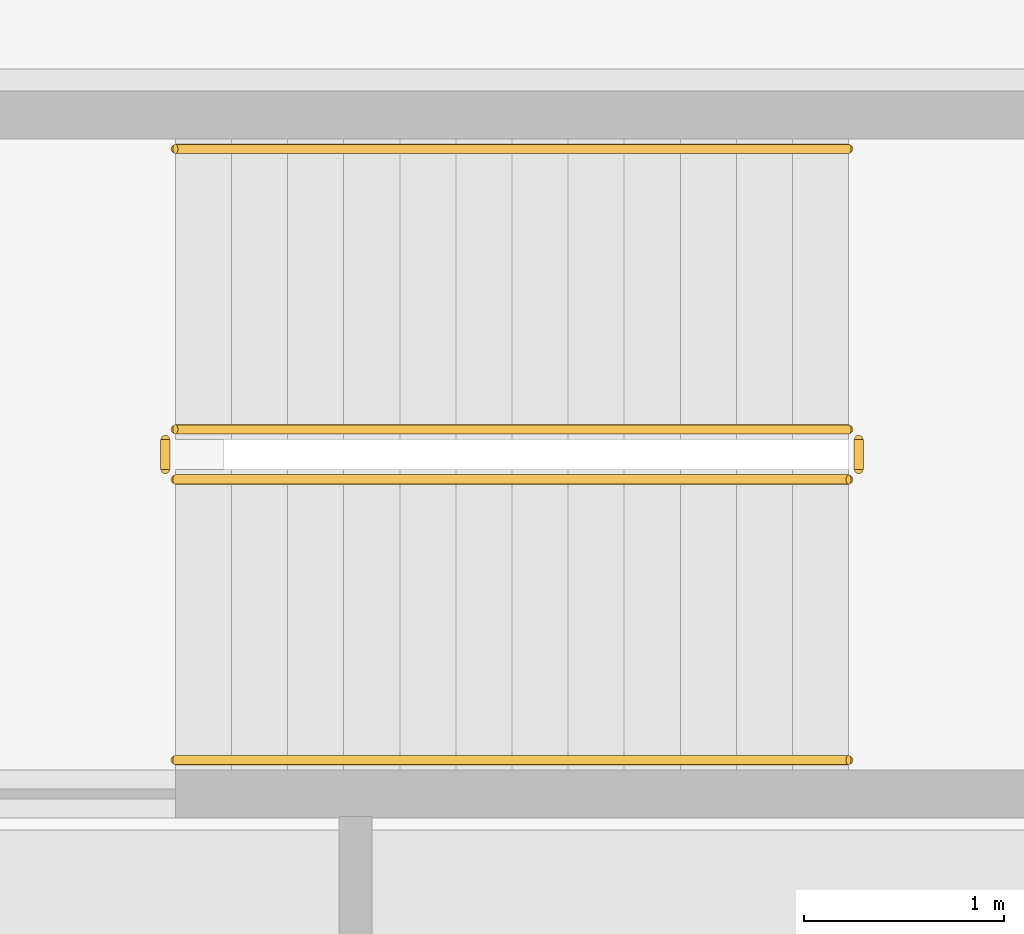
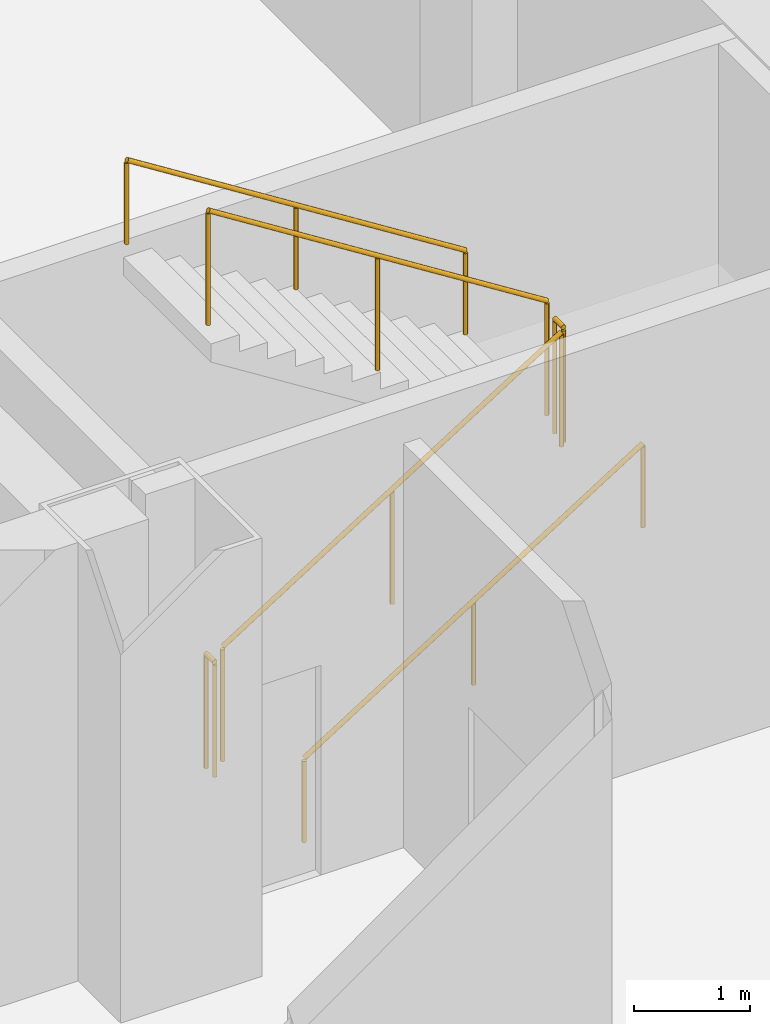
# One storey, part 8 of 8: 6 railings.
"""IFC4 building model written with IfcOpenShell, lengths in metres."""

from ifc_helpers import new_model, si_unit, direction, frame, origin, origin_2d, place, context, subcontext, project, spatial, circle, extrude, material, type_object, element, save


model = new_model("IFC4")

# Units and contexts
model_context = context("Model", 3, precision=1e-05, world=origin(), true_north=direction((0.0, 1.0)))
body_context = subcontext(model_context, "Body", "Model", "MODEL_VIEW")
ifc_project = project(units=[si_unit("LENGTHUNIT", "METRE"), si_unit("AREAUNIT", "SQUARE_METRE"), si_unit("VOLUMEUNIT", "CUBIC_METRE"), si_unit("PLANEANGLEUNIT", "RADIAN"), si_unit("MASSUNIT", "GRAM", prefix="KILO")], contexts=[model_context])

# Site, building, storey
site_placement = place(None, origin())
site = spatial("IfcSite", under=ifc_project, at=site_placement, CompositionType="ELEMENT")
building_placement = place(site_placement, origin())
building = spatial("IfcBuilding", under=site, at=building_placement, Name="Qianrong Seaharbour Tower", CompositionType="ELEMENT")
storey_placement = place(building_placement, frame((0.0, 0.0, -9.199951171875)))
storey = spatial("IfcBuildingStorey", under=building, at=storey_placement, Name="B02", CompositionType="ELEMENT", Elevation=-9.199951171875)

# Railings
ifc_material_1 = material(Name="Galvanized painted steel SN400B stair guard", Category="steel")
railing_type_1 = type_object("IfcRailingType", Name="RAIL-STAIR-GUARD-1220", PredefinedType="GUARDRAIL", material=ifc_material_1)
railing_1_placement = place(storey_placement, frame((65.89990234375, 38.050048828125, 0.1767578125)))
element("IfcRailing", 1, at=railing_1_placement, inside=storey, type_object=railing_type_1, Name="B02 BST-2 stair guard 1", PredefinedType="GUARDRAIL", context=body_context, shape_type="SweptSolid", body=[
    extrude(circle(Radius=0.02392578125, at=origin_2d()), frame((0.0, 0.0, 1.19580078125), z_axis=(0.845361898145, 0.0, 0.534194029511), x_axis=(0.0, 1.0, 0.0)), (0.0, 0.0, 1.0), 3.974853515625),
    extrude(circle(Radius=0.02099609375, at=origin_2d()), origin(), (0.0, 0.0, 1.0), 1.171875),
    extrude(circle(Radius=0.02099609375, at=origin_2d()), frame((1.68017578125, 0.0, 1.0615234375)), (0.0, 0.0, 1.0), 1.171875),
    extrude(circle(Radius=0.02099609375, at=origin_2d()), frame((3.360107421875, 0.0, 2.123291015625)), (0.0, 0.0, 1.0), 1.171875),
])
railing_2_placement = place(storey_placement, frame((69.31005859375, 38.10009765625, 2.300048828125)))
element("IfcRailing", 2, at=railing_2_placement, inside=storey, type_object=railing_type_1, Name="B02 BST-2 stair guard 2", PredefinedType="GUARDRAIL", context=body_context, shape_type="SweptSolid", body=[
    extrude(circle(Radius=0.02392578125, at=origin_2d()), frame((0.0, 0.0, 1.19580078125), z_axis=(0.0, 1.0, 0.0), x_axis=(-1.0, 0.0, 0.0)), (0.0, 0.0, 1.0), 0.14990234375),
    extrude(circle(Radius=0.02099609375, at=origin_2d()), origin(), (0.0, 0.0, 1.0), 1.171875),
    extrude(circle(Radius=0.02099609375, at=origin_2d()), frame((0.0, 0.14990234375, 0.0)), (0.0, 0.0, 1.0), 1.171875),
])
railing_3_placement = place(storey_placement, frame((69.260009765625, 38.300048828125, 2.476806640625)))
element("IfcRailing", 3, at=railing_3_placement, inside=storey, type_object=railing_type_1, Name="B02 BST-2 stair guard 3", PredefinedType="GUARDRAIL", context=body_context, shape_type="SweptSolid", body=[
    extrude(circle(Radius=0.02392578125, at=origin_2d()), frame((0.0, 0.0, 1.19580078125), z_axis=(-0.845389635667, 0.0, 0.534150132366), x_axis=(0.0, -1.0, 0.0)), (0.0, 0.0, 1.0), 3.974609375),
    extrude(circle(Radius=0.02099609375, at=origin_2d()), origin(), (0.0, 0.0, 1.0), 1.171875),
    extrude(circle(Radius=0.02099609375, at=origin_2d()), frame((-1.68017578125, 0.0, 1.0615234375)), (0.0, 0.0, 1.0), 1.171875),
    extrude(circle(Radius=0.02099609375, at=origin_2d()), frame((-3.360107421875, 0.0, 2.123046875)), (0.0, 0.0, 1.0), 1.171875),
])
railing_4_placement = place(storey_placement, frame((65.85009765625, 38.10009765625, 0.0)))
element("IfcRailing", 4, at=railing_4_placement, inside=storey, type_object=railing_type_1, Name="B02 BST-2 stair guard 4", PredefinedType="GUARDRAIL", context=body_context, shape_type="SweptSolid", body=[
    extrude(circle(Radius=0.02392578125, at=origin_2d()), frame((0.0, 0.0, 1.19580078125), z_axis=(0.0, 1.0, 0.0), x_axis=(-1.0, 0.0, 0.0)), (0.0, 0.0, 1.0), 0.14990234375),
    extrude(circle(Radius=0.02099609375, at=origin_2d()), origin(), (0.0, 0.0, 1.0), 1.171875),
    extrude(circle(Radius=0.02099609375, at=origin_2d()), frame((0.0, 0.14990234375, 0.0)), (0.0, 0.0, 1.0), 1.171875),
])
ifc_material_2 = material(Name="Stainless steel SUS316L continuous handrail", Category="steel")
railing_type_2 = type_object("IfcRailingType", Name="RAIL-STAIR-HANDRAIL-900", PredefinedType="HANDRAIL", material=ifc_material_2)
railing_5_placement = place(storey_placement, frame((65.89990234375, 36.64990234375, 0.1767578125)))
element("IfcRailing", 5, at=railing_5_placement, inside=storey, type_object=railing_type_2, Name="B02 BST-2 stair handrail 1", PredefinedType="HANDRAIL", context=body_context, shape_type="SweptSolid", body=[
    extrude(circle(Radius=0.02392578125, at=origin_2d()), frame((0.0, 0.0, 0.8759765625), z_axis=(0.845361898145, 0.0, 0.534194029511), x_axis=(0.0, 1.0, 0.0)), (0.0, 0.0, 1.0), 3.974853515625),
    extrude(circle(Radius=0.02099609375, at=origin_2d()), origin(), (0.0, 0.0, 1.0), 0.851806640625),
    extrude(circle(Radius=0.02099609375, at=origin_2d()), frame((1.68017578125, 0.0, 1.0615234375)), (0.0, 0.0, 1.0), 0.851806640625),
    extrude(circle(Radius=0.02099609375, at=origin_2d()), frame((3.360107421875, 0.0, 2.123291015625)), (0.0, 0.0, 1.0), 0.851806640625),
])
railing_6_placement = place(storey_placement, frame((69.260009765625, 39.699951171875, 2.476806640625)))
element("IfcRailing", 6, at=railing_6_placement, inside=storey, type_object=railing_type_2, Name="B02 BST-2 stair handrail 2", PredefinedType="HANDRAIL", context=body_context, shape_type="SweptSolid", body=[
    extrude(circle(Radius=0.02392578125, at=origin_2d()), frame((0.0, 0.0, 0.8759765625), z_axis=(-0.845389635667, 0.0, 0.534150132366), x_axis=(0.0, -1.0, 0.0)), (0.0, 0.0, 1.0), 3.974609375),
    extrude(circle(Radius=0.02099609375, at=origin_2d()), origin(), (0.0, 0.0, 1.0), 0.851806640625),
    extrude(circle(Radius=0.02099609375, at=origin_2d()), frame((-1.68017578125, 0.0, 1.0615234375)), (0.0, 0.0, 1.0), 0.851806640625),
    extrude(circle(Radius=0.02099609375, at=origin_2d()), frame((-3.360107421875, 0.0, 2.123046875)), (0.0, 0.0, 1.0), 0.851806640625),
])

save(model, "model.ifc")
